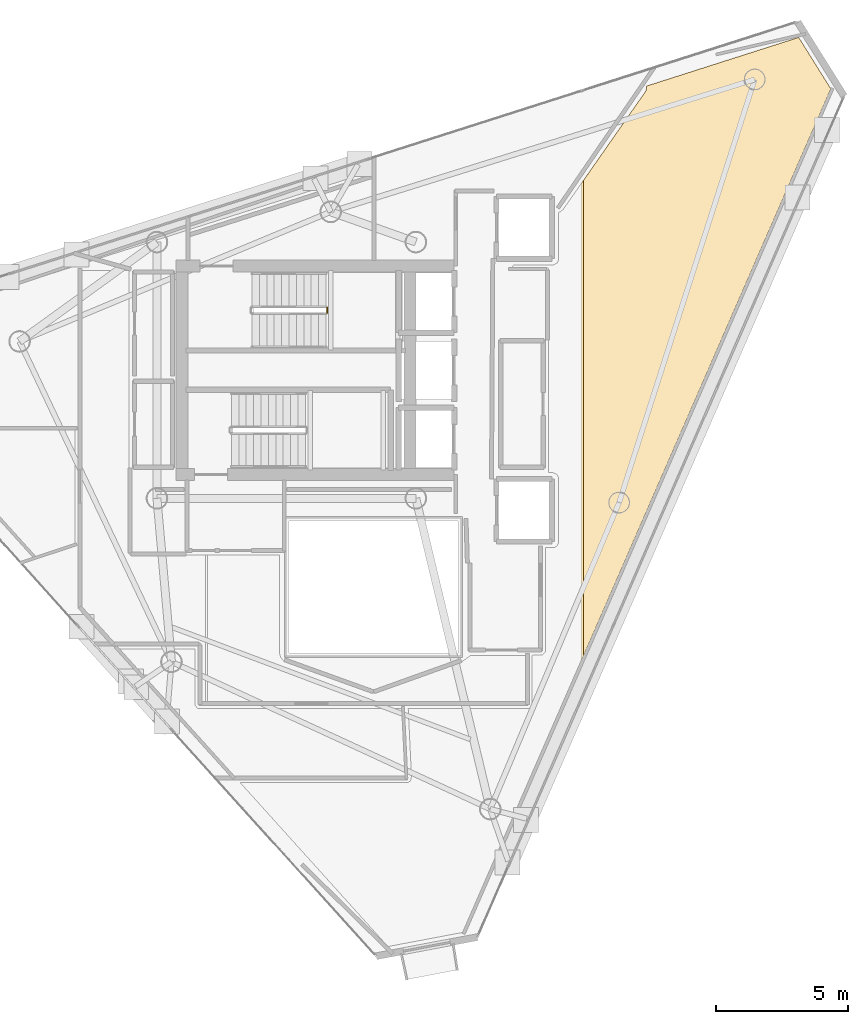
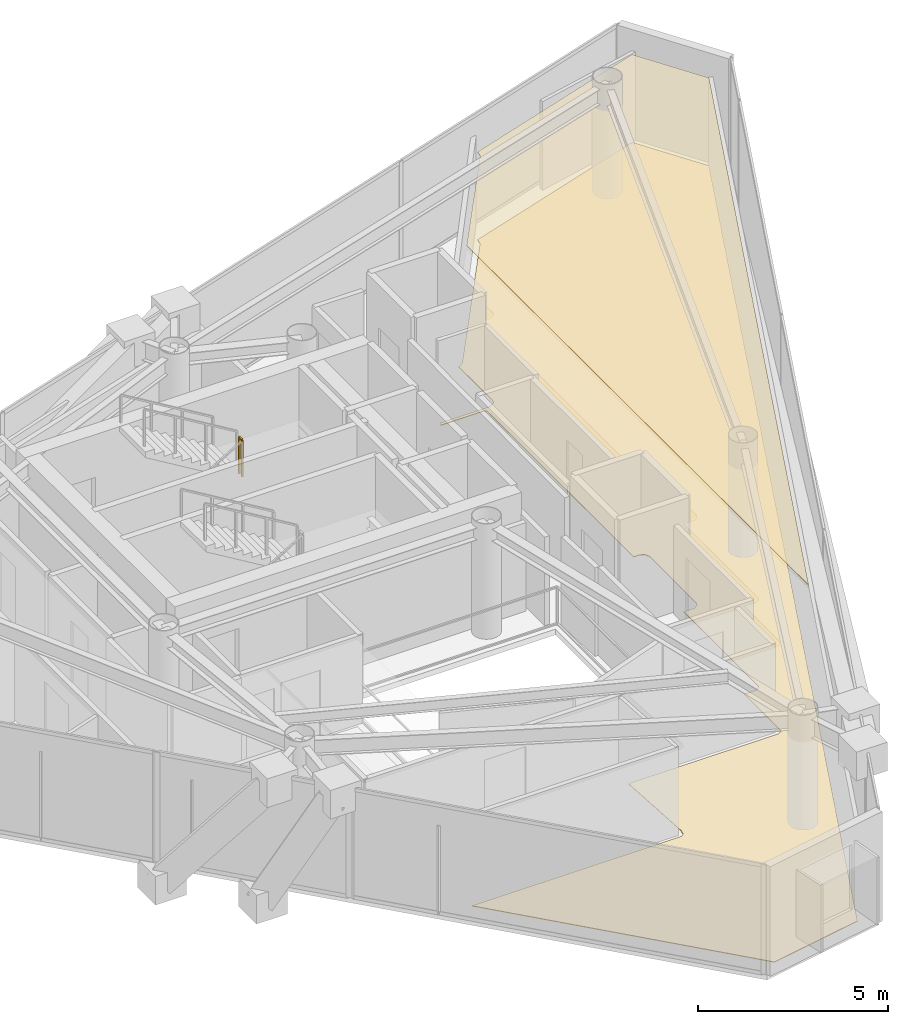
# One storey, part 19 of 19: 2 coverings, 1 railing.
"""IFC4 building model written with IfcOpenShell, lengths in metres."""

from ifc_helpers import new_model, si_unit, direction, frame, origin, origin_2d, place, context, subcontext, project, spatial, polyline, rectangle, outline, extrude, material, layer, layer_set, type_object, element, save


model = new_model("IFC4")

# Units and contexts
model_context = context("Model", 3, precision=1e-05, world=origin(), true_north=direction((0.0, 1.0)))
body_context = subcontext(model_context, "Body", "Model", "MODEL_VIEW")
ifc_project = project(units=[si_unit("LENGTHUNIT", "METRE"), si_unit("AREAUNIT", "SQUARE_METRE"), si_unit("VOLUMEUNIT", "CUBIC_METRE"), si_unit("PLANEANGLEUNIT", "RADIAN"), si_unit("MASSUNIT", "GRAM", prefix="KILO")], contexts=[model_context])

# Site, building, storey
site_placement = place(None, origin())
site = spatial("IfcSite", under=ifc_project, at=site_placement, CompositionType="ELEMENT")
building_placement = place(site_placement, origin())
building = spatial("IfcBuilding", under=site, at=building_placement, Name="Qianvela Tower", CompositionType="ELEMENT")
storey_placement = place(building_placement, frame((0.0, 0.0, 329.60009765625)))
storey = spatial("IfcBuildingStorey", under=building, at=storey_placement, Name="L85", CompositionType="ELEMENT", Elevation=329.60009765625)

# Coverings
ifc_material_1 = material(Name="Perforated Mineral Acoustic Ceiling Tile")
ifc_layer_1 = layer(ifc_material_1, 0.02490234375)
ifc_layer_set_1 = layer_set([ifc_layer_1], Name="Perforated Mineral Acoustic Ceiling Tile")
covering_type_1 = type_object("IfcCoveringType", Name="COV-CEIL-ACOUSTIC-25", PredefinedType="CEILING", material=ifc_layer_set_1)
covering_1_placement = place(storey_placement, frame((0.0, 0.0, 2.81494140625)))
element("IfcCovering", 1, at=covering_1_placement, inside=storey, type_object=covering_type_1, Name="L85 Acoustic Ceiling Bay 2 Stationery Supply Boutique L85-04", PredefinedType="CEILING", context=body_context, shape_type="SweptSolid", body=[
    extrude(outline(polyline([(47.102783203125, 39.26171875), (47.106689453125, 39.267822265625), (47.110107421875, 39.2744140625), (47.11279296875, 39.28125), (47.114990234375, 39.288330078125), (47.1162109375, 39.295654296875), (47.140869140625, 39.45849609375), (52.891845703125, 41.297119140625), (54.108642578125, 39.35400390625), (44.7509765625, 17.9013671875), (44.7509765625, 35.893798828125), (47.102783203125, 39.26171875)])), origin(), (0.0, 0.0, 1.0), 0.02490234375),
])
ifc_material_2 = material(Name="Engineered Acoustic Oak Timber Flooring", Category="wood")
ifc_layer_2 = layer(ifc_material_2, 0.02001953125)
ifc_layer_set_2 = layer_set([ifc_layer_2], Name="Engineered Acoustic Oak Timber Flooring")
covering_type_2 = type_object("IfcCoveringType", Name="COV-FLOOR-OAK-20", PredefinedType="FLOORING", material=ifc_layer_set_2)
covering_2_placement = place(storey_placement, origin())
element("IfcCovering", 2, at=covering_2_placement, inside=storey, type_object=covering_type_2, Name="L85 Finish Flooring Stationery Supply Boutique L85-04", PredefinedType="FLOORING", context=body_context, shape_type="SweptSolid", body=[
    extrude(outline(polyline([(38.21240234375, 13.258544921875), (38.21630859375, 13.2626953125), (38.22119140625, 13.2685546875), (38.22509765625, 13.27490234375), (38.228759765625, 13.28173828125), (38.2314453125, 13.288818359375), (38.233642578125, 13.296142578125), (38.235107421875, 13.3037109375), (38.23583984375, 13.311279296875), (38.23583984375, 13.31884765625), (38.111328125, 15.889892578125), (42.64990234375, 15.889892578125), (42.65771484375, 15.890380859375), (42.66552734375, 15.8916015625), (42.673095703125, 15.893310546875), (42.6806640625, 15.89599609375), (42.687744140625, 15.8994140625), (42.754150390625, 15.93505859375), (42.760986328125, 15.93896484375), (42.76708984375, 15.943603515625), (42.77294921875, 15.948974609375), (42.7783203125, 15.95458984375), (42.782958984375, 15.9609375), (42.787109375, 15.967529296875), (42.790283203125, 15.974609375), (42.79296875, 15.98193359375), (42.794921875, 15.989501953125), (42.796142578125, 15.997314453125), (42.79638671875, 16.005126953125), (42.806884765625, 17.920166015625), (43.157958984375, 17.92041015625), (43.165771484375, 17.9208984375), (43.173583984375, 17.921875), (43.18115234375, 17.923828125), (43.1884765625, 17.926513671875), (43.195556640625, 17.9296875), (43.202392578125, 17.933837890625), (43.20849609375, 17.938720703125), (43.21435546875, 17.94384765625), (43.2861328125, 18.015625), (43.29150390625, 18.021484375), (43.296142578125, 18.027587890625), (43.30029296875, 18.034423828125), (43.303466796875, 18.04150390625), (43.30615234375, 18.048828125), (43.30810546875, 18.056640625), (43.30908203125, 18.064208984375), (43.3095703125, 18.072265625), (43.309326171875, 21.981201171875), (43.621826171875, 21.986083984375), (43.62939453125, 21.986572265625), (43.63720703125, 21.98779296875), (43.64453125, 21.98974609375), (43.651611328125, 21.9921875), (43.658447265625, 21.99560546875), (43.6650390625, 21.99951171875), (43.732666015625, 22.044677734375), (43.739013671875, 22.04931640625), (43.744873046875, 22.0546875), (43.75, 22.060302734375), (43.754638671875, 22.066650390625), (43.7587890625, 22.073486328125), (43.76220703125, 22.08056640625), (43.793212890625, 22.15576171875), (43.7958984375, 22.1630859375), (43.7978515625, 22.170654296875), (43.798828125, 22.178466796875), (43.79931640625, 22.186279296875), (43.79931640625, 24.61376953125), (43.799072265625, 24.620849609375), (43.798095703125, 24.627685546875), (43.79638671875, 24.634765625), (43.79443359375, 24.641357421875), (43.79150390625, 24.64794921875), (43.751220703125, 24.733154296875), (43.74755859375, 24.739990234375), (43.743408203125, 24.74658203125), (43.73828125, 24.752685546875), (43.732666015625, 24.75830078125), (43.726806640625, 24.76318359375), (43.72021484375, 24.767578125), (43.713134765625, 24.771240234375), (43.6279296875, 24.8115234375), (43.619873046875, 24.81494140625), (43.611328125, 24.8173828125), (43.6025390625, 24.81884765625), (43.59375, 24.8193359375), (43.423828125, 24.8193359375), (43.423828125, 24.8193359375), (43.426513671875, 24.826904296875), (43.428466796875, 24.83447265625), (43.4296875, 24.84228515625), (43.429931640625, 24.85009765625), (43.429931640625, 32.5), (43.4296875, 32.5078125), (43.428466796875, 32.515625), (43.426513671875, 32.523193359375), (43.423828125, 32.530517578125), (43.420654296875, 32.53759765625), (43.41650390625, 32.54443359375), (43.411865234375, 32.55078125), (43.406494140625, 32.556640625), (43.40087890625, 32.561767578125), (43.394287109375, 32.56640625), (43.3876953125, 32.570556640625), (43.380615234375, 32.573974609375), (43.373291015625, 32.57666015625), (43.365478515625, 32.57861328125), (43.35791015625, 32.57958984375), (43.35009765625, 32.580078125), (42.04541015625, 32.580078125), (42.10009765625, 32.679931640625), (43.580078125, 32.679931640625), (43.587890625, 32.680419921875), (43.595703125, 32.681396484375), (43.603271484375, 32.683349609375), (43.610595703125, 32.68603515625), (43.61767578125, 32.689453125), (43.734130859375, 32.751708984375), (43.740966796875, 32.755615234375), (43.747314453125, 32.760498046875), (43.7529296875, 32.765625), (43.75830078125, 32.771484375), (43.762939453125, 32.77783203125), (43.76708984375, 32.784423828125), (43.770263671875, 32.79150390625), (43.77294921875, 32.799072265625), (43.796630859375, 32.876708984375), (43.798583984375, 32.884521484375), (43.799560546875, 32.89208984375), (43.800048828125, 32.89990234375), (43.800048828125, 34.67578125), (43.852783203125, 34.68896484375), (43.860107421875, 34.691162109375), (43.8671875, 34.694091796875), (43.8740234375, 34.697509765625), (43.880615234375, 34.701904296875), (43.88671875, 34.70654296875), (43.971435546875, 34.78173828125), (43.97802734375, 34.788330078125), (43.98388671875, 34.7958984375), (47.102783203125, 39.26171875), (47.106689453125, 39.267822265625), (47.110107421875, 39.2744140625), (47.11279296875, 39.28125), (47.114990234375, 39.288330078125), (47.1162109375, 39.295654296875), (47.140869140625, 39.45849609375), (52.891845703125, 41.297119140625), (54.108642578125, 39.35400390625), (40.1787109375, 7.419921875), (37.34521484375, 6.884765625), (31.74609375, 13.09423828125), (38.088134765625, 13.095458984375), (38.095703125, 13.095703125), (38.10302734375, 13.096923828125), (38.1103515625, 13.0986328125), (38.117431640625, 13.10107421875), (38.124267578125, 13.104248046875), (38.130859375, 13.10791015625), (38.136962890625, 13.1123046875), (38.18017578125, 13.1455078125), (38.186279296875, 13.150634765625), (38.191650390625, 13.15625), (38.196533203125, 13.16259765625), (38.20068359375, 13.169189453125), (38.204345703125, 13.17626953125), (38.207275390625, 13.18359375), (38.209228515625, 13.191162109375), (38.210693359375, 13.198974609375), (38.211181640625, 13.206787109375), (38.21240234375, 13.258544921875)])), origin(), (0.0, 0.0, 1.0), 0.02001953125),
])

# Railing
ifc_material_3 = material(Name="Painted Tubular Steel Q355B", Category="steel")
railing_type = type_object("IfcRailingType", Name="RL-STAIR-GUARD-1200", PredefinedType="GUARDRAIL", material=ifc_material_3)
railing_placement = place(storey_placement, frame((35.050048828125, 30.889892578125, 1.849853515625)))
element("IfcRailing", 3, at=railing_placement, inside=storey, type_object=railing_type, Name="L85 ST-1 stair guard 2", PredefinedType="GUARDRAIL", context=body_context, shape_type="SweptSolid", body=[
    extrude(rectangle(XDim=0.050048828125, YDim=0.0400390625, at=origin_2d()), frame((0.0, 0.0, 1.179931640625), z_axis=(0.0, 1.0, 0.0), x_axis=(-1.0, 0.0, 0.0)), (0.0, 0.0, 1.0), 0.16015625),
    extrude(rectangle(XDim=0.050048828125, YDim=0.050048828125, at=origin_2d()), origin(), (0.0, 0.0, 1.0), 1.159912109375),
    extrude(rectangle(XDim=0.050048828125, YDim=0.050048828125, at=origin_2d()), frame((0.0, 0.16015625, 0.0)), (0.0, 0.0, 1.0), 1.159912109375),
])

save(model, "model.ifc")
